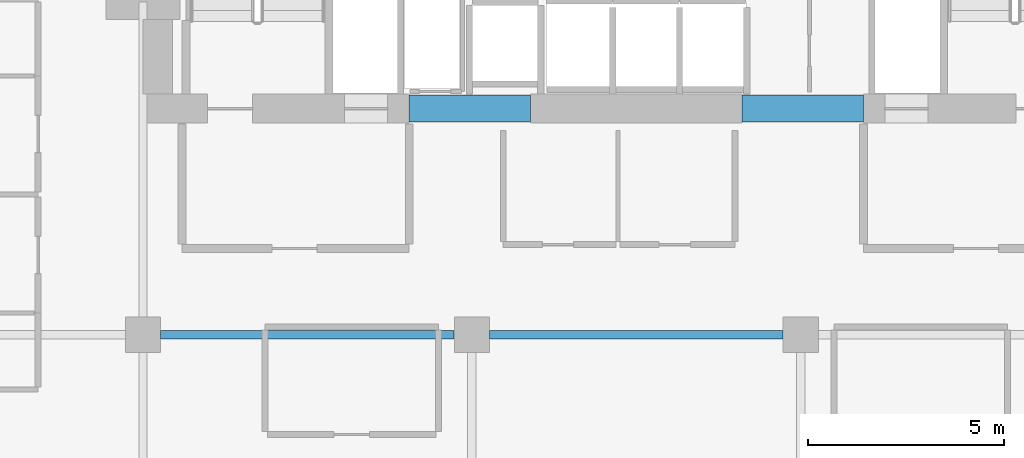
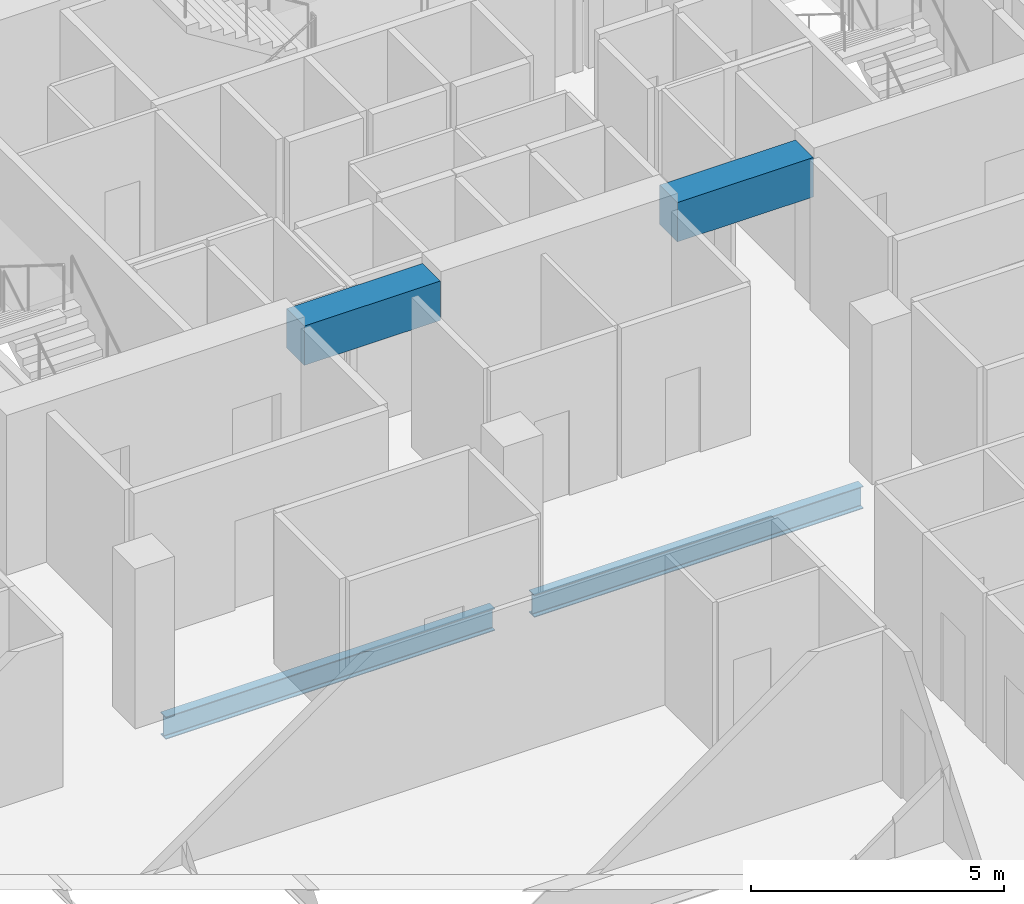
# One storey, part 21 of 34: 4 beams.
"""IFC4 building model written with IfcOpenShell, lengths in metres."""

from ifc_helpers import new_model, si_unit, direction, frame, origin, origin_2d, place, context, subcontext, project, spatial, rectangle, i_section, extrude, material, material_profile, profile_set, type_object, element, save


model = new_model("IFC4")

# Units and contexts
model_context = context("Model", 3, precision=1e-05, world=origin(), true_north=direction((0.0, 1.0)))
body_context = subcontext(model_context, "Body", "Model", "MODEL_VIEW")
ifc_project = project(units=[si_unit("LENGTHUNIT", "METRE"), si_unit("AREAUNIT", "SQUARE_METRE"), si_unit("VOLUMEUNIT", "CUBIC_METRE"), si_unit("PLANEANGLEUNIT", "RADIAN"), si_unit("MASSUNIT", "GRAM", prefix="KILO")], contexts=[model_context])

# Site, building, storey
site_placement = place(None, origin())
site = spatial("IfcSite", under=ifc_project, at=site_placement, CompositionType="ELEMENT")
building_placement = place(site_placement, origin())
building = spatial("IfcBuilding", under=site, at=building_placement, Name="Maruvema Waterfront Hotel and Observation Tower", CompositionType="ELEMENT")
storey_placement = place(building_placement, frame((0.0, 0.0, 215.949951171875)))
storey = spatial("IfcBuildingStorey", under=building, at=storey_placement, Name="L53", CompositionType="ELEMENT", Elevation=215.949951171875)

# Beams
ifc_material_1 = material(Name="Concrete C60/75", Category="concrete")
ifc_material_profile_1 = material_profile(ifc_material_1, rectangle(XDim=0.699951171875, YDim=0.949951171875, at=origin_2d()), Name="CB700x950")
ifc_profile_set_1 = profile_set([ifc_material_profile_1], Name="Concrete C60/75")
beam_type_1 = type_object("IfcBeamType", Name="Core Coupling Lintel Beam CB700x950", PredefinedType="LINTEL", material=ifc_profile_set_1)
for number, where, z_axis, x_axis, name in (
    (1, (32.0, 41.77490234375, 3.135009765625), (1.0, 0.0, 0.0), (0.0, 1.0, 0.0), "L53 Core Coupling Lintel Beam West"),
    (2, (40.5, 41.77490234375, 3.135009765625), (1.0, 0.0, 0.0), (0.0, 1.0, 0.0), "L53 Core Coupling Lintel Beam East"),
):
    element("IfcBeam", number, at=place(storey_placement, frame(where, z_axis=z_axis, x_axis=x_axis)), inside=storey, type_object=beam_type_1, Name=name, PredefinedType="LINTEL", context=body_context, shape_type="SweptSolid", body=[
        extrude(rectangle(XDim=0.699951171875, YDim=0.949951171875, at=origin_2d()), origin(), (0.0, 0.0, 1.0), 3.10009765625),
    ])
ifc_material_2 = material(Name="Steel ASTM A572 Grade 50", Category="steel")
ifc_material_profile_2 = material_profile(ifc_material_2, i_section(OverallWidth=0.2109375, OverallDepth=0.5390625, WebThickness=0.01171875, FlangeThickness=0.018798828125, FilletRadius=0.014892578125, at=origin_2d()), Name="W530x109.0")
ifc_profile_set_2 = profile_set([ifc_material_profile_2], Name="Steel ASTM A572 Grade 50")
beam_type_2 = type_object("IfcBeamType", Name="Primary Floor Girder W530x109.0", PredefinedType="BEAM", material=ifc_profile_set_2)
for number, where, z_axis, x_axis, name in (
    (3, (25.64990234375, 36.0, -0.509521484375), (1.0, 0.0, 0.0), (0.0, 1.0, 0.0), "L53 Floor Girder EW-25"),
    (4, (34.050048828125, 36.0, -0.509521484375), (1.0, 0.0, 0.0), (0.0, 1.0, 0.0), "L53 Floor Girder EW-26"),
):
    element("IfcBeam", number, at=place(storey_placement, frame(where, z_axis=z_axis, x_axis=x_axis)), inside=storey, type_object=beam_type_2, Name=name, PredefinedType="BEAM", context=body_context, shape_type="SweptSolid", body=[
        extrude(i_section(OverallWidth=0.2109375, OverallDepth=0.5390625, WebThickness=0.01171875, FlangeThickness=0.018798828125, FilletRadius=0.014892578125, at=origin_2d()), origin(), (0.0, 0.0, 1.0), 7.5),
    ])

save(model, "model.ifc")
